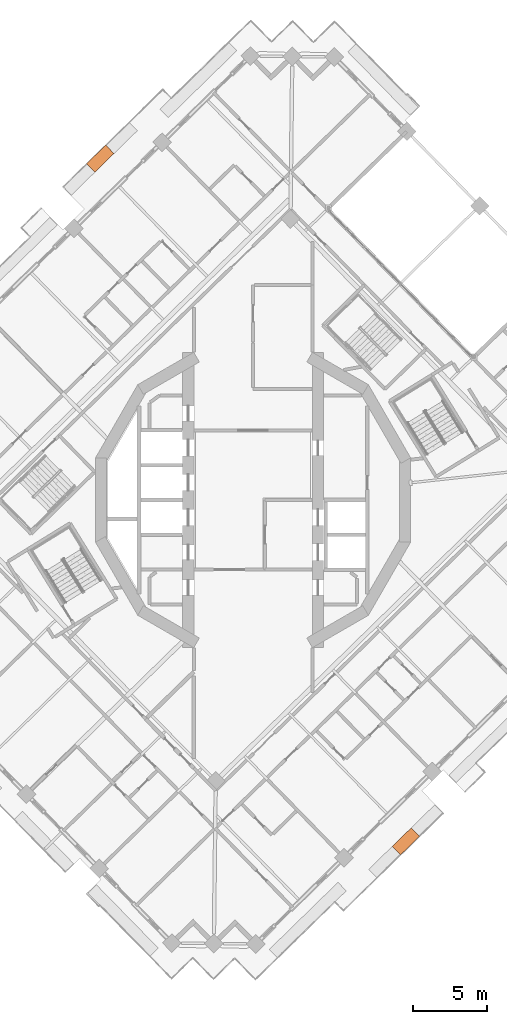
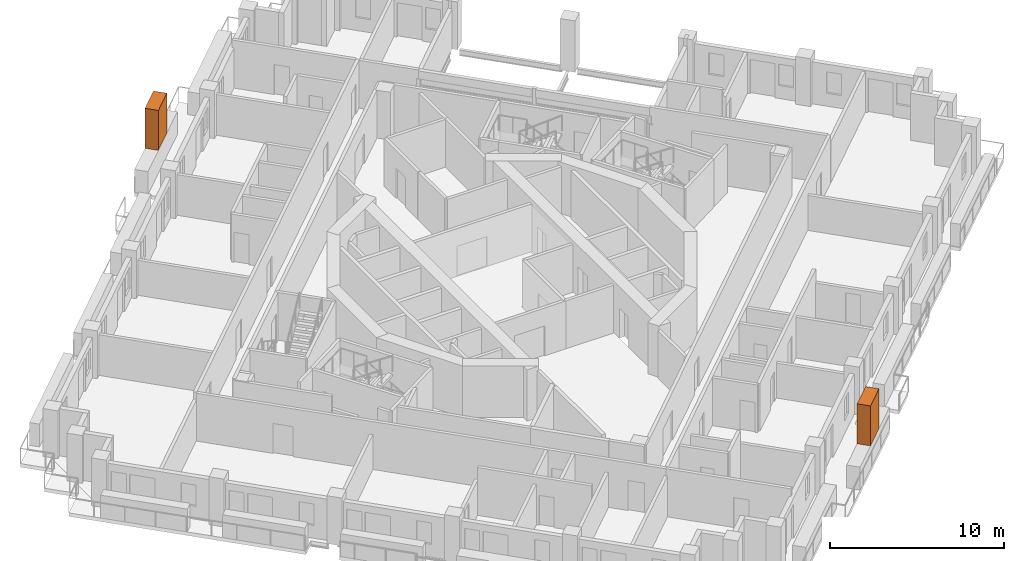
# One storey, part 20 of 20: 2 proxies.
"""IFC4 building model written with IfcOpenShell, lengths in metres."""

from ifc_helpers import new_model, si_unit, direction, frame, origin, origin_2d, place, context, subcontext, project, spatial, rectangle, extrude, element, save


model = new_model("IFC4")

# Units and contexts
model_context = context("Model", 3, precision=1e-05, world=origin(), true_north=direction((0.0, 1.0)))
body_context = subcontext(model_context, "Body", "Model", "MODEL_VIEW")
ifc_project = project(units=[si_unit("LENGTHUNIT", "METRE"), si_unit("AREAUNIT", "SQUARE_METRE"), si_unit("VOLUMEUNIT", "CUBIC_METRE"), si_unit("PLANEANGLEUNIT", "RADIAN"), si_unit("MASSUNIT", "GRAM", prefix="KILO")], contexts=[model_context])

# Site, building, storey
site_placement = place(None, origin())
site = spatial("IfcSite", under=ifc_project, at=site_placement, CompositionType="ELEMENT")
building_placement = place(site_placement, origin())
building = spatial("IfcBuilding", under=site, at=building_placement, Name="Cantera Rosa Tower", CompositionType="ELEMENT")
storey_placement = place(building_placement, frame((0.0, 0.0, 209.0)))
storey = spatial("IfcBuildingStorey", under=building, at=storey_placement, Name="L44", CompositionType="ELEMENT", Elevation=209.0)

# Proxies
for number, where, z_axis, x_axis, name in (
    (1, (-10.30712890625, 23.02783203125, 1.60009765625), (0.0, 0.0, 1.0), (-0.71528629107, -0.698831540364, 0.0), "TREE L44-07"),
    (2, (10.30712890625, -23.02783203125, 1.60009765625), (0.0, 0.0, 1.0), (0.71528629107, 0.698831540364, 0.0), "TREE L44-17"),
):
    element("IfcBuildingElementProxy", number, at=place(storey_placement, frame(where, z_axis=z_axis, x_axis=x_axis)), inside=storey, Name=name, ObjectType="TREE", PredefinedType="USERDEFINED", context=body_context, shape_type="SweptSolid", body=[
        extrude(rectangle(XDim=1.800048828125, YDim=0.800048828125, at=origin_2d()), origin(), (0.0, 0.0, 1.0), 2.800048828125),
    ])

save(model, "model.ifc")
